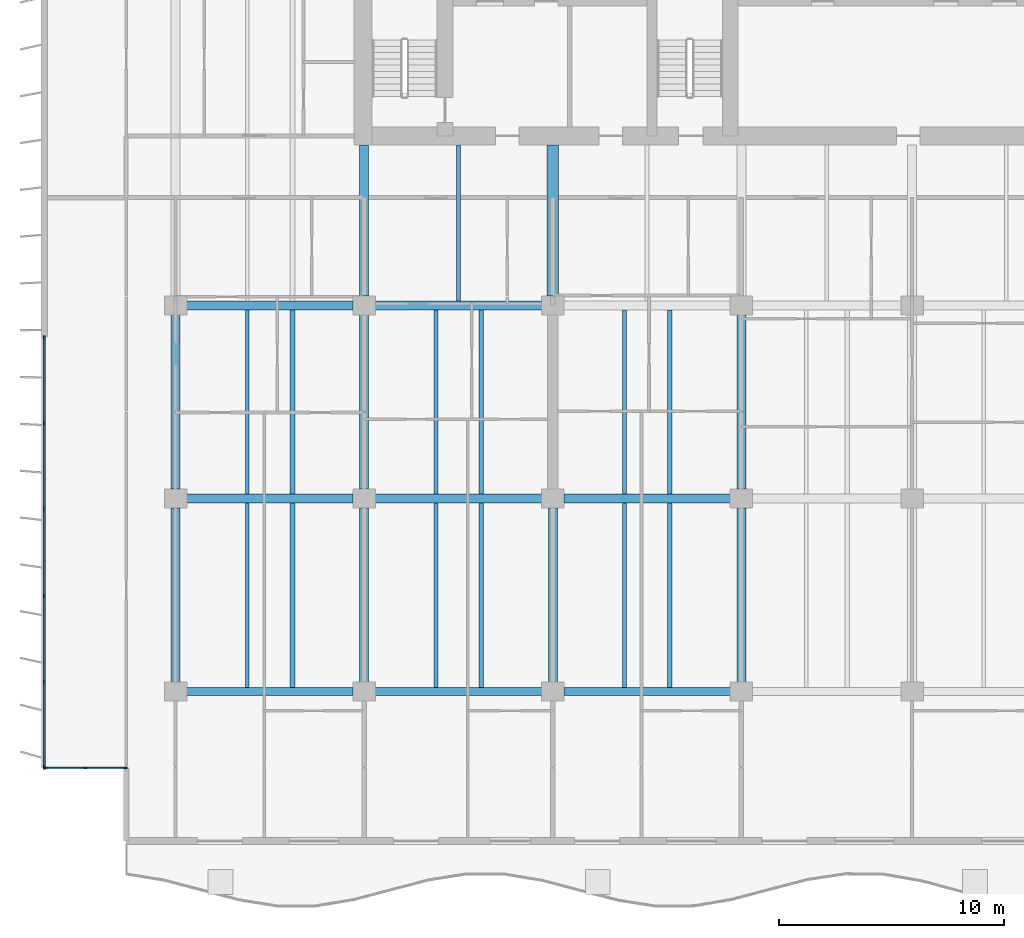
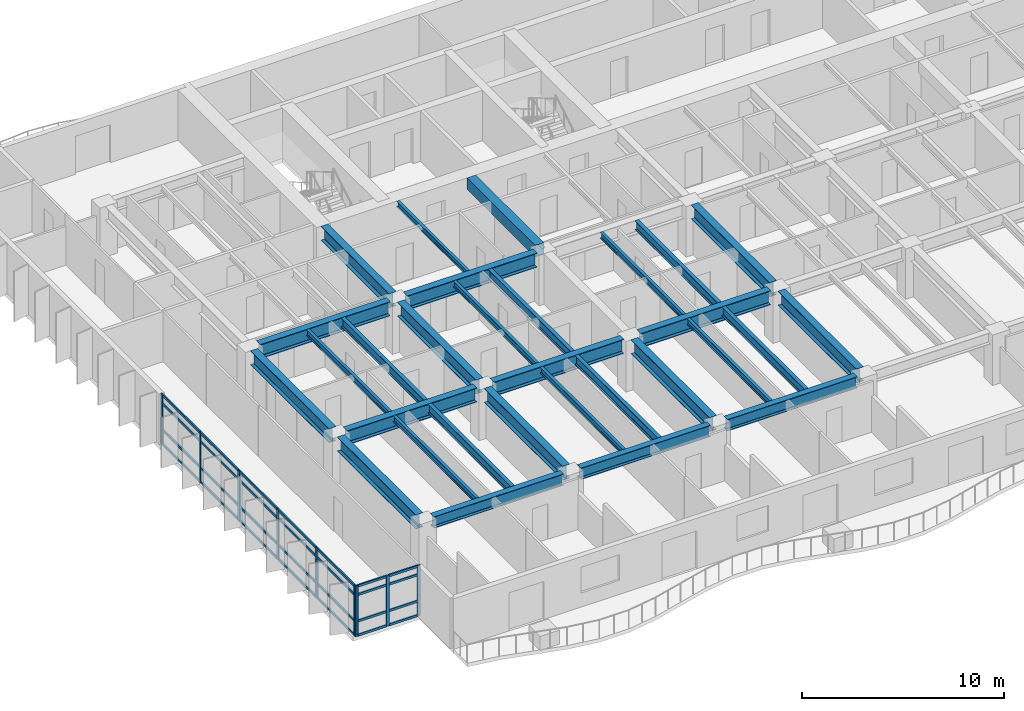
# One storey, part 2 of 16: 37 members, 30 beams, 2 elements without a shape of their own.
"""IFC4 building model written with IfcOpenShell, lengths in metres."""

import ifcopenshell
import ifcopenshell.guid

model = None  # the IFC model being written
_history = None  # IfcOwnerHistory: only IFC2X3 demands one
_inside = {}  # id of a spatial element -> (the spatial element, [elements in it])
_under = {}  # id of a project, library or spatial element -> (it, [spatial elements below it])
_declared = {}  # id of a project -> (the project, [libraries it declares])
_typed = {}  # id of a type object -> (the type object, [elements of that type])
_made_of = {}  # id of a material, layer set ... -> (it, [elements and type objects made of it])


def new_model(schema):
    """Start an empty IFC model of exactly this schema.

    Asked for "IFC4X3", IfcOpenShell would pick the latest addendum, in which some entities
    have other attributes; the version numbers below select the first issue.
    IFC2X3 requires an IfcOwnerHistory on every rooted entity: one is made here for all.
    """
    global model, _history
    if schema == "IFC4X3":
        model = ifcopenshell.file(schema_version=(4, 3, 0, 0))
    else:
        model = ifcopenshell.file(schema=schema)
    _inside.clear()
    _under.clear()
    _declared.clear()
    _typed.clear()
    _made_of.clear()
    _history = None
    if model.schema == "IFC2X3":
        org = make("IfcOrganization", Name="unknown")
        user = make(
            "IfcPersonAndOrganization",
            ThePerson=make("IfcPerson", FamilyName="unknown"),
            TheOrganization=org,
        )
        app = make(
            "IfcApplication",
            ApplicationDeveloper=org,
            Version="unknown",
            ApplicationFullName="unknown",
            ApplicationIdentifier="unknown",
        )
        _history = make(
            "IfcOwnerHistory",
            OwningUser=user,
            OwningApplication=app,
            ChangeAction="ADDED",
            CreationDate=0,
        )
    return model


def make(cls, **values):
    """One entity of the class cls with the attributes given. An attribute that is None is left unset."""
    return model.create_entity(
        cls, **{name: value for name, value in values.items() if value is not None}
    )


def rooted(cls, **values):
    """An entity with a GlobalId (a new one), such as an element, a storey or a relation."""
    return make(cls, GlobalId=ifcopenshell.guid.new(), OwnerHistory=_history, **values)


def si_unit(unit_type, name, prefix=None):
    """IfcSIUnit, for example si_unit("LENGTHUNIT", "METRE", prefix="MILLI")."""
    return make("IfcSIUnit", UnitType=unit_type, Prefix=prefix, Name=name)


def assignment(units):
    """IfcUnitAssignment: the units of a project."""
    return None if units is None else make("IfcUnitAssignment", Units=units)


def point(xyz):
    """IfcCartesianPoint."""
    return None if xyz is None else make("IfcCartesianPoint", Coordinates=xyz)


def direction(xyz):
    """IfcDirection."""
    return None if xyz is None else make("IfcDirection", DirectionRatios=xyz)


def frame(location, z_axis=None, x_axis=None):
    """IfcAxis2Placement3D, a coordinate frame: its origin and axes. An axis left out is left unset."""
    return make(
        "IfcAxis2Placement3D",
        Location=point(location),
        Axis=direction(z_axis),
        RefDirection=direction(x_axis),
    )


def frame_2d(location, x_axis=None):
    """IfcAxis2Placement2D, a coordinate frame in the plane: its origin and x axis."""
    return make(
        "IfcAxis2Placement2D", Location=point(location), RefDirection=direction(x_axis)
    )


def origin():
    """The frame at (0, 0, 0) with its axes left unset."""
    return frame((0.0, 0.0, 0.0))


def origin_2d():
    """The frame at (0, 0) in the plane with its x axis left unset."""
    return frame_2d((0.0, 0.0))


def place(relative_to, where):
    """IfcLocalPlacement: puts the frame where relative to a parent placement (None: the world)."""
    return make(
        "IfcLocalPlacement", PlacementRelTo=relative_to, RelativePlacement=where
    )


def context(
    kind, dimensions, precision=None, world=None, true_north=None, identifier=None
):
    """IfcGeometricRepresentationContext, for example the 3D "Model" context."""
    return make(
        "IfcGeometricRepresentationContext",
        ContextIdentifier=identifier,
        ContextType=kind,
        CoordinateSpaceDimension=dimensions,
        Precision=precision,
        WorldCoordinateSystem=world,
        TrueNorth=true_north,
    )


def subcontext(parent, identifier, kind, view, scale=None):
    """IfcGeometricRepresentationSubContext, for example "Body" below "Model"."""
    return make(
        "IfcGeometricRepresentationSubContext",
        ContextIdentifier=identifier,
        ContextType=kind,
        ParentContext=parent,
        TargetScale=scale,
        TargetView=view,
    )


def project(units=None, contexts=None):
    """IfcProject with its units and contexts."""
    return rooted(
        "IfcProject",
        Name="project",
        RepresentationContexts=contexts,
        UnitsInContext=assignment(units),
    )


def spatial(cls, under=None, at=None, **own):
    """A site, building, storey or space (cls), placed at a placement, below another one or the project."""
    s = rooted(cls, ObjectPlacement=at, **own)
    if under is not None:
        _under.setdefault(under.id(), (under, []))[1].append(s)
    return s


def profile(cls, at=None, kind="AREA", **sizes):
    """A parametric profile (cls). Its sizes go by their IFC names, for example OverallWidth=200.0."""
    return make(cls, ProfileType=kind, Position=at, **sizes)


def rectangle(**sizes):
    """IfcRectangleProfileDef."""
    return profile("IfcRectangleProfileDef", **sizes)


def i_section(**sizes):
    """IfcIShapeProfileDef."""
    return profile("IfcIShapeProfileDef", **sizes)


def extrude(swept, where, along, depth):
    """IfcExtrudedAreaSolid: the profile swept, set in the frame where, extruded along a direction by depth."""
    return make(
        "IfcExtrudedAreaSolid",
        SweptArea=swept,
        Position=where,
        ExtrudedDirection=direction(along),
        Depth=depth,
    )


def shape(context_of_items, identifier, shape_type, items):
    """IfcShapeRepresentation: the items that make up one representation, for example the "Body"."""
    return make(
        "IfcShapeRepresentation",
        ContextOfItems=context_of_items,
        RepresentationIdentifier=identifier,
        RepresentationType=shape_type,
        Items=items,
    )


def material(Name=None, Category=None):
    """IfcMaterial."""
    return make("IfcMaterial", Name=Name, Category=Category)


def layer(
    of_material, thickness, ventilated=None, Name=None, Category=None, Priority=None
):
    """IfcMaterialLayer: one layer of a wall or slab, of a material (None: an air gap)."""
    return make(
        "IfcMaterialLayer",
        Material=of_material,
        LayerThickness=thickness,
        IsVentilated=ventilated,
        Name=Name,
        Category=Category,
        Priority=Priority,
    )


def layer_set(layers, Name=None):
    """IfcMaterialLayerSet."""
    return make("IfcMaterialLayerSet", MaterialLayers=layers, LayerSetName=Name)


def material_profile(
    of_material, cross_section, Name=None, Category=None, Priority=None
):
    """IfcMaterialProfile: a cross section and its material."""
    return make(
        "IfcMaterialProfile",
        Name=Name,
        Material=of_material,
        Profile=cross_section,
        Priority=Priority,
        Category=Category,
    )


def profile_set(profiles, Name=None, composite=None):
    """IfcMaterialProfileSet."""
    return make(
        "IfcMaterialProfileSet",
        Name=Name,
        MaterialProfiles=profiles,
        CompositeProfile=composite,
    )


def made_of(thing, what):
    """Note that an element or type object is made of a material, layer set ...; save() writes the relation."""
    if what is not None:
        _made_of.setdefault(what.id(), (what, []))[1].append(thing)
    return thing


def type_object(cls, material=None, **own):
    """A type object (cls), such as IfcWallType, which elements share."""
    return made_of(rooted(cls, **own), material)


def element(
    cls,
    number,
    at=None,
    inside=None,
    cuts=None,
    type_object=None,
    material=None,
    context=None,
    identifier="Body",
    shape_type=None,
    held_by="IfcProductDefinitionShape",
    body=None,
    shapes=None,
    **own,
):
    """One element of the class cls, such as IfcWall. Its Tag is "e" and its number.

    at: its placement. inside: the storey or other place that contains it. cuts: it is an
    opening in that element (IfcRelVoidsElement). A single representation is given by context,
    identifier, shape_type and body (its items); several are given by shapes. held_by: the class
    of the entity that holds the representations. save() writes the other relations.
    """
    e = rooted(cls, Tag="e%d" % number, ObjectPlacement=at, **own)
    if body is not None:
        shapes = [shape(context, identifier, shape_type, body)]
    if shapes is not None:
        e.Representation = make(held_by, Representations=shapes)
    if inside is not None:
        _inside.setdefault(inside.id(), (inside, []))[1].append(e)
    if cuts is not None:
        rooted(
            "IfcRelVoidsElement", RelatingBuildingElement=cuts, RelatedOpeningElement=e
        )
    if type_object is not None:
        _typed.setdefault(type_object.id(), (type_object, []))[1].append(e)
    return made_of(e, material)


def aggregate(whole, parts):
    """IfcRelAggregates: a whole, such as a stair, and the parts it consists of."""
    return rooted("IfcRelAggregates", RelatingObject=whole, RelatedObjects=parts)


def save(model, path):
    """Write the relations noted so far, then the file.

    IfcRelAggregates (storeys below a building ...), IfcRelContainedInSpatialStructure (elements
    in a storey), IfcRelDefinesByType, IfcRelAssociatesMaterial and IfcRelDeclares: one each for
    every whole, place, type object, material and project.
    """
    for whole, parts in _under.values():
        aggregate(whole, parts)
    for where, things in _inside.values():
        rooted(
            "IfcRelContainedInSpatialStructure",
            RelatedElements=things,
            RelatingStructure=where,
        )
    for kind, things in _typed.values():
        rooted("IfcRelDefinesByType", RelatedObjects=things, RelatingType=kind)
    for what, things in _made_of.values():
        rooted("IfcRelAssociatesMaterial", RelatedObjects=things, RelatingMaterial=what)
    for by, libraries in _declared.values():
        rooted("IfcRelDeclares", RelatingContext=by, RelatedDefinitions=libraries)
    model.write(path)


model = new_model("IFC4")

# Units and contexts
model_context = context("Model", 3, precision=1e-05, world=origin(), true_north=direction((0.0, 1.0)))
body_context = subcontext(model_context, "Body", "Model", "MODEL_VIEW")
ifc_project = project(units=[si_unit("LENGTHUNIT", "METRE"), si_unit("AREAUNIT", "SQUARE_METRE"), si_unit("VOLUMEUNIT", "CUBIC_METRE"), si_unit("PLANEANGLEUNIT", "RADIAN"), si_unit("MASSUNIT", "GRAM", prefix="KILO")], contexts=[model_context])

# Site, building, storey
site_placement = place(None, origin())
site = spatial("IfcSite", under=ifc_project, at=site_placement, CompositionType="ELEMENT")
building_placement = place(site_placement, origin())
building = spatial("IfcBuilding", under=site, at=building_placement, Name="Caelmar Bay Residences", CompositionType="ELEMENT")
storey_placement = place(building_placement, frame((0.0, 0.0, 142.199951171875)))
storey = spatial("IfcBuildingStorey", under=building, at=storey_placement, Name="L39", CompositionType="ELEMENT", Elevation=142.199951171875)

# Beams
ifc_material_1 = material(Name="Steel ASTM A992 Grade 50", Category="steel")
ifc_material_profile_1 = material_profile(ifc_material_1, i_section(OverallWidth=0.40087890625, OverallDepth=0.861083984375, WebThickness=0.019775390625, FlangeThickness=0.032470703125, FilletRadius=0.017822265625, at=origin_2d()), Name="W33X221")
ifc_profile_set_1 = profile_set([ifc_material_profile_1], Name="Steel ASTM A992 Grade 50")
beam_type_1 = type_object("IfcBeamType", Name="BM-GRD-W33X221", PredefinedType="BEAM", material=ifc_profile_set_1)
beam_1_placement = place(storey_placement, frame((10.389892578125, 20.800048828125, 2.61962890625), z_axis=(1.0, 0.0, 0.0), x_axis=(0.0, 1.0, 0.0)))
element("IfcBeam", 1, at=beam_1_placement, inside=storey, type_object=beam_type_1, Name="L39 East-West Girder Y=20.80 (9.9-18.3)", PredefinedType="BEAM", context=body_context, shape_type="SweptSolid", body=[
    extrude(i_section(OverallWidth=0.40087890625, OverallDepth=0.861083984375, WebThickness=0.019775390625, FlangeThickness=0.032470703125, FilletRadius=0.017822265625, at=origin_2d()), origin(), (0.0, 0.0, 1.0), 7.420166015625),
])
beam_2_placement = place(storey_placement, frame((18.7900390625, 20.800048828125, 2.61962890625), z_axis=(1.0, 0.0, 0.0), x_axis=(0.0, 1.0, 0.0)))
element("IfcBeam", 2, at=beam_2_placement, inside=storey, type_object=beam_type_1, Name="L39 East-West Girder Y=20.80 (18.3-26.7)", PredefinedType="BEAM", context=body_context, shape_type="SweptSolid", body=[
    extrude(i_section(OverallWidth=0.40087890625, OverallDepth=0.861083984375, WebThickness=0.019775390625, FlangeThickness=0.032470703125, FilletRadius=0.017822265625, at=origin_2d()), origin(), (0.0, 0.0, 1.0), 7.419921875),
])
for number, where, z_axis, x_axis, name in (
    (3, (27.18994140625, 20.800048828125, 2.61962890625), (1.0, 0.0, 0.0), (0.0, 1.0, 0.0), "L39 East-West Girder Y=20.80 (26.7-35.1)"),
    (4, (10.389892578125, 29.39990234375, 2.61962890625), (1.0, 0.0, 0.0), (0.0, 1.0, 0.0), "L39 East-West Girder Y=29.40 (9.9-18.3)"),
):
    element("IfcBeam", number, at=place(storey_placement, frame(where, z_axis=z_axis, x_axis=x_axis)), inside=storey, type_object=beam_type_1, Name=name, PredefinedType="BEAM", context=body_context, shape_type="SweptSolid", body=[
        extrude(i_section(OverallWidth=0.40087890625, OverallDepth=0.861083984375, WebThickness=0.019775390625, FlangeThickness=0.032470703125, FilletRadius=0.017822265625, at=origin_2d()), origin(), (0.0, 0.0, 1.0), 7.420166015625),
    ])
beam_3_placement = place(storey_placement, frame((18.7900390625, 29.39990234375, 2.61962890625), z_axis=(1.0, 0.0, 0.0), x_axis=(0.0, 1.0, 0.0)))
element("IfcBeam", 5, at=beam_3_placement, inside=storey, type_object=beam_type_1, Name="L39 East-West Girder Y=29.40 (18.3-26.7)", PredefinedType="BEAM", context=body_context, shape_type="SweptSolid", body=[
    extrude(i_section(OverallWidth=0.40087890625, OverallDepth=0.861083984375, WebThickness=0.019775390625, FlangeThickness=0.032470703125, FilletRadius=0.017822265625, at=origin_2d()), origin(), (0.0, 0.0, 1.0), 7.419921875),
])
for number, where, z_axis, x_axis, name in (
    (6, (9.89990234375, 12.614990234375, 2.61962890625), (0.0, 1.0, 0.0), (-1.0, 0.0, 0.0), "L39 North-South Girder X=9.90 (12.2-20.8)"),
    (7, (9.89990234375, 21.215087890625, 2.61962890625), (0.0, 1.0, 0.0), (-1.0, 0.0, 0.0), "L39 North-South Girder X=9.90 (20.8-29.4)"),
):
    element("IfcBeam", number, at=place(storey_placement, frame(where, z_axis=z_axis, x_axis=x_axis)), inside=storey, type_object=beam_type_1, Name=name, PredefinedType="BEAM", context=body_context, shape_type="SweptSolid", body=[
        extrude(i_section(OverallWidth=0.40087890625, OverallDepth=0.861083984375, WebThickness=0.019775390625, FlangeThickness=0.032470703125, FilletRadius=0.017822265625, at=origin_2d()), origin(), (0.0, 0.0, 1.0), 7.77001953125),
    ])
beam_4_placement = place(storey_placement, frame((18.300048828125, 29.81494140625, 2.61962890625), z_axis=(0.0, 1.0, 0.0), x_axis=(-1.0, 0.0, 0.0)))
element("IfcBeam", 8, at=beam_4_placement, inside=storey, type_object=beam_type_1, Name="L39 Core Tie Girder X=18.30", PredefinedType="BEAM", context=body_context, shape_type="SweptSolid", body=[
    extrude(i_section(OverallWidth=0.40087890625, OverallDepth=0.861083984375, WebThickness=0.019775390625, FlangeThickness=0.032470703125, FilletRadius=0.017822265625, at=origin_2d()), origin(), (0.0, 0.0, 1.0), 6.735107421875),
])
for number, where, z_axis, x_axis, name in (
    (9, (18.300048828125, 12.614990234375, 2.61962890625), (0.0, 1.0, 0.0), (-1.0, 0.0, 0.0), "L39 North-South Girder X=18.30 (12.2-20.8)"),
    (10, (18.300048828125, 21.215087890625, 2.61962890625), (0.0, 1.0, 0.0), (-1.0, 0.0, 0.0), "L39 North-South Girder X=18.30 (20.8-29.4)"),
    (11, (26.699951171875, 12.614990234375, 2.61962890625), (0.0, 1.0, 0.0), (-1.0, 0.0, 0.0), "L39 North-South Girder X=26.70 (12.2-20.8)"),
    (12, (35.10009765625, 12.614990234375, 2.61962890625), (0.0, 1.0, 0.0), (-1.0, 0.0, 0.0), "L39 North-South Girder X=35.10 (12.2-20.8)"),
    (13, (35.10009765625, 21.215087890625, 2.61962890625), (0.0, 1.0, 0.0), (-1.0, 0.0, 0.0), "L39 North-South Girder X=35.10 (20.8-29.4)"),
):
    element("IfcBeam", number, at=place(storey_placement, frame(where, z_axis=z_axis, x_axis=x_axis)), inside=storey, type_object=beam_type_1, Name=name, PredefinedType="BEAM", context=body_context, shape_type="SweptSolid", body=[
        extrude(i_section(OverallWidth=0.40087890625, OverallDepth=0.861083984375, WebThickness=0.019775390625, FlangeThickness=0.032470703125, FilletRadius=0.017822265625, at=origin_2d()), origin(), (0.0, 0.0, 1.0), 7.77001953125),
    ])
ifc_material_profile_2 = material_profile(ifc_material_1, i_section(OverallWidth=0.1650390625, OverallDepth=0.31005859375, WebThickness=0.005859375, FlangeThickness=0.009765625, FilletRadius=0.007568359375, at=origin_2d()), Name="W12X26")
ifc_profile_set_2 = profile_set([ifc_material_profile_2], Name="Steel ASTM A992 Grade 50")
beam_type_2 = type_object("IfcBeamType", Name="BM-JST-W12X26", PredefinedType="JOIST", material=ifc_profile_set_2)
beam_5_placement = place(storey_placement, frame((22.5, 29.6005859375, 2.89501953125), z_axis=(0.0, 1.0, 0.0), x_axis=(-1.0, 0.0, 0.0)))
element("IfcBeam", 14, at=beam_5_placement, inside=storey, type_object=beam_type_2, Name="L39 Core-Band Composite Joist 29", PredefinedType="JOIST", context=body_context, shape_type="SweptSolid", body=[
    extrude(i_section(OverallWidth=0.1650390625, OverallDepth=0.31005859375, WebThickness=0.005859375, FlangeThickness=0.009765625, FilletRadius=0.007568359375, at=origin_2d()), origin(), (0.0, 0.0, 1.0), 6.949462890625),
])
ifc_material_profile_3 = material_profile(ifc_material_1, i_section(OverallWidth=0.1708984375, OverallDepth=0.35595703125, WebThickness=0.007080078125, FlangeThickness=0.01171875, FilletRadius=0.007568359375, at=origin_2d()), Name="W14X34")
ifc_profile_set_3 = profile_set([ifc_material_profile_3], Name="Steel ASTM A992 Grade 50")
beam_type_3 = type_object("IfcBeamType", Name="BM-JST-W14X34", PredefinedType="JOIST", material=ifc_profile_set_3)
for number, where, z_axis, x_axis, name in (
    (15, (13.092041015625, 12.3779296875, 2.8720703125), (0.0, 1.0, 0.0), (-1.0, 0.0, 0.0), "L39 Composite Floor Joist 1"),
    (16, (21.491943359375, 12.3779296875, 2.8720703125), (0.0, 1.0, 0.0), (-1.0, 0.0, 0.0), "L39 Composite Floor Joist 3"),
    (17, (29.89208984375, 12.3779296875, 2.8720703125), (0.0, 1.0, 0.0), (-1.0, 0.0, 0.0), "L39 Composite Floor Joist 5"),
):
    element("IfcBeam", number, at=place(storey_placement, frame(where, z_axis=z_axis, x_axis=x_axis)), inside=storey, type_object=beam_type_3, Name=name, PredefinedType="JOIST", context=body_context, shape_type="SweptSolid", body=[
        extrude(i_section(OverallWidth=0.1708984375, OverallDepth=0.35595703125, WebThickness=0.007080078125, FlangeThickness=0.01171875, FilletRadius=0.007568359375, at=origin_2d()), origin(), (0.0, 0.0, 1.0), 8.2216796875),
    ])
for number, where, z_axis, x_axis, name in (
    (18, (13.092041015625, 21.00048828125, 2.8720703125), (0.0, 1.0, 0.0), (-1.0, 0.0, 0.0), "L39 Composite Floor Joist 15"),
    (19, (21.491943359375, 21.00048828125, 2.8720703125), (0.0, 1.0, 0.0), (-1.0, 0.0, 0.0), "L39 Composite Floor Joist 17"),
    (20, (29.89208984375, 21.00048828125, 2.8720703125), (0.0, 1.0, 0.0), (-1.0, 0.0, 0.0), "L39 Composite Floor Joist 19"),
):
    element("IfcBeam", number, at=place(storey_placement, frame(where, z_axis=z_axis, x_axis=x_axis)), inside=storey, type_object=beam_type_3, Name=name, PredefinedType="JOIST", context=body_context, shape_type="SweptSolid", body=[
        extrude(i_section(OverallWidth=0.1708984375, OverallDepth=0.35595703125, WebThickness=0.007080078125, FlangeThickness=0.01171875, FilletRadius=0.007568359375, at=origin_2d()), origin(), (0.0, 0.0, 1.0), 8.198974609375),
    ])
ifc_material_profile_4 = material_profile(ifc_material_1, i_section(OverallWidth=0.2099609375, OverallDepth=0.535888671875, WebThickness=0.010986328125, FlangeThickness=0.017333984375, FilletRadius=0.0126953125, at=origin_2d()), Name="W21X68")
ifc_profile_set_4 = profile_set([ifc_material_profile_4], Name="Steel ASTM A992 Grade 50")
beam_type_4 = type_object("IfcBeamType", Name="BM-JST-W21X68", PredefinedType="JOIST", material=ifc_profile_set_4)
for number, where, z_axis, x_axis, name in (
    (21, (15.10791015625, 12.3779296875, 2.781982421875), (0.0, 1.0, 0.0), (-1.0, 0.0, 0.0), "L39 Composite Floor Joist 2"),
    (22, (23.508056640625, 12.3779296875, 2.781982421875), (0.0, 1.0, 0.0), (-1.0, 0.0, 0.0), "L39 Composite Floor Joist 4"),
    (23, (31.907958984375, 12.3779296875, 2.781982421875), (0.0, 1.0, 0.0), (-1.0, 0.0, 0.0), "L39 Composite Floor Joist 6"),
):
    element("IfcBeam", number, at=place(storey_placement, frame(where, z_axis=z_axis, x_axis=x_axis)), inside=storey, type_object=beam_type_4, Name=name, PredefinedType="JOIST", context=body_context, shape_type="SweptSolid", body=[
        extrude(i_section(OverallWidth=0.2099609375, OverallDepth=0.535888671875, WebThickness=0.010986328125, FlangeThickness=0.017333984375, FilletRadius=0.0126953125, at=origin_2d()), origin(), (0.0, 0.0, 1.0), 8.2216796875),
    ])
for number, where, z_axis, x_axis, name in (
    (24, (15.10791015625, 21.00048828125, 2.781982421875), (0.0, 1.0, 0.0), (-1.0, 0.0, 0.0), "L39 Composite Floor Joist 16"),
    (25, (23.508056640625, 21.00048828125, 2.781982421875), (0.0, 1.0, 0.0), (-1.0, 0.0, 0.0), "L39 Composite Floor Joist 18"),
    (26, (31.907958984375, 21.00048828125, 2.781982421875), (0.0, 1.0, 0.0), (-1.0, 0.0, 0.0), "L39 Composite Floor Joist 20"),
):
    element("IfcBeam", number, at=place(storey_placement, frame(where, z_axis=z_axis, x_axis=x_axis)), inside=storey, type_object=beam_type_4, Name=name, PredefinedType="JOIST", context=body_context, shape_type="SweptSolid", body=[
        extrude(i_section(OverallWidth=0.2099609375, OverallDepth=0.535888671875, WebThickness=0.010986328125, FlangeThickness=0.017333984375, FilletRadius=0.0126953125, at=origin_2d()), origin(), (0.0, 0.0, 1.0), 8.198974609375),
    ])
ifc_material_2 = material(Name="Concrete f'c 55 MPa (8,000 psi)", Category="concrete")
ifc_material_profile_5 = material_profile(ifc_material_2, rectangle(XDim=0.5, YDim=0.699951171875, at=origin_2d()), Name="RC-BM-500X700")
ifc_profile_set_5 = profile_set([ifc_material_profile_5], Name="Concrete f'c 55 MPa (8,000 psi)")
beam_type_5 = type_object("IfcBeamType", Name="BM-RC-500X700", PredefinedType="LINTEL", material=ifc_profile_set_5)
beam_6_placement = place(storey_placement, frame((26.699951171875, 29.81494140625, 2.699951171875), z_axis=(0.0, 1.0, 0.0), x_axis=(-1.0, 0.0, 0.0)))
element("IfcBeam", 27, at=beam_6_placement, inside=storey, type_object=beam_type_5, Name="L39 Shear-Wall Corridor Coupling Lintel W5", PredefinedType="LINTEL", context=body_context, shape_type="SweptSolid", body=[
    extrude(rectangle(XDim=0.5, YDim=0.699951171875, at=origin_2d()), origin(), (0.0, 0.0, 1.0), 6.735107421875),
])
ifc_material_profile_6 = material_profile(ifc_material_1, i_section(OverallWidth=0.35595703125, OverallDepth=0.696044921875, WebThickness=0.015380859375, FlangeThickness=0.02490234375, FilletRadius=0.01513671875, at=origin_2d()), Name="W27X146")
ifc_profile_set_6 = profile_set([ifc_material_profile_6], Name="Steel ASTM A992 Grade 50")
beam_type_6 = type_object("IfcBeamType", Name="BM-SPN-W27X146", PredefinedType="SPANDREL", material=ifc_profile_set_6)
beam_7_placement = place(storey_placement, frame((10.389892578125, 12.199951171875, 2.7021484375), z_axis=(1.0, 0.0, 0.0), x_axis=(0.0, 1.0, 0.0)))
element("IfcBeam", 28, at=beam_7_placement, inside=storey, type_object=beam_type_6, Name="L39 East-West Girder Y=12.20 (9.9-18.3)", PredefinedType="SPANDREL", context=body_context, shape_type="SweptSolid", body=[
    extrude(i_section(OverallWidth=0.35595703125, OverallDepth=0.696044921875, WebThickness=0.015380859375, FlangeThickness=0.02490234375, FilletRadius=0.01513671875, at=origin_2d()), origin(), (0.0, 0.0, 1.0), 7.420166015625),
])
beam_8_placement = place(storey_placement, frame((18.7900390625, 12.199951171875, 2.7021484375), z_axis=(1.0, 0.0, 0.0), x_axis=(0.0, 1.0, 0.0)))
element("IfcBeam", 29, at=beam_8_placement, inside=storey, type_object=beam_type_6, Name="L39 East-West Girder Y=12.20 (18.3-26.7)", PredefinedType="SPANDREL", context=body_context, shape_type="SweptSolid", body=[
    extrude(i_section(OverallWidth=0.35595703125, OverallDepth=0.696044921875, WebThickness=0.015380859375, FlangeThickness=0.02490234375, FilletRadius=0.01513671875, at=origin_2d()), origin(), (0.0, 0.0, 1.0), 7.419921875),
])
beam_9_placement = place(storey_placement, frame((27.18994140625, 12.199951171875, 2.7021484375), z_axis=(1.0, 0.0, 0.0), x_axis=(0.0, 1.0, 0.0)))
element("IfcBeam", 30, at=beam_9_placement, inside=storey, type_object=beam_type_6, Name="L39 East-West Girder Y=12.20 (26.7-35.1)", PredefinedType="SPANDREL", context=body_context, shape_type="SweptSolid", body=[
    extrude(i_section(OverallWidth=0.35595703125, OverallDepth=0.696044921875, WebThickness=0.015380859375, FlangeThickness=0.02490234375, FilletRadius=0.01513671875, at=origin_2d()), origin(), (0.0, 0.0, 1.0), 7.420166015625),
])

# Curtain wall, members
ifc_material_3 = material(Name="Anodised bronze aluminium 6063-T6 and laminated glass", Category="aluminium")
ifc_layer_1 = layer(ifc_material_3, 0.179931640625)
ifc_layer_set_1 = layer_set([ifc_layer_1], Name="Anodised bronze aluminium 6063-T6 and laminated glass")
curtain_wall_type_1 = type_object("IfcCurtainWallType", Name="CW6-NTC", PredefinedType="NOTDEFINED", material=ifc_layer_set_1)
curtain_wall_1_placement = place(storey_placement, origin())
curtain_wall_1 = element("IfcCurtainWall", 31, at=curtain_wall_1_placement, inside=storey, type_object=curtain_wall_type_1, Name="CW6 curtain wall L39", PredefinedType="NOTDEFINED")
ifc_material_4 = material(Name="Anodised bronze aluminium 6063-T6", Category="aluminium")
ifc_material_profile_7 = material_profile(ifc_material_4, rectangle(XDim=0.080078125, YDim=0.179931640625, at=origin_2d()), Name="CWM-80X180")
ifc_profile_set_7 = profile_set([ifc_material_profile_7], Name="Anodised bronze aluminium 6063-T6")
member_type_1 = type_object("IfcMemberType", Name="CWM-180", PredefinedType="MULLION", material=ifc_profile_set_7)
member_1_placement = place(storey_placement, frame((4.090087890625, 8.800048828125, 0.0), z_axis=(0.0, 0.0, 1.0), x_axis=(0.0, 1.0, 0.0)))
member_1 = element("IfcMember", 32, at=member_1_placement, type_object=member_type_1, Name="CW6 mullion 1", PredefinedType="MULLION", context=body_context, shape_type="SweptSolid", body=[
    extrude(rectangle(XDim=0.080078125, YDim=0.179931640625, at=origin_2d()), origin(), (0.0, 0.0, 1.0), 3.050048828125),
])
member_2_placement = place(storey_placement, frame((5.875, 8.800048828125, 0.0), z_axis=(0.0, 0.0, 1.0), x_axis=(0.0, 1.0, 0.0)))
member_2 = element("IfcMember", 33, at=member_2_placement, type_object=member_type_1, Name="CW6 mullion 2", PredefinedType="MULLION", context=body_context, shape_type="SweptSolid", body=[
    extrude(rectangle(XDim=0.080078125, YDim=0.179931640625, at=origin_2d()), origin(), (0.0, 0.0, 1.0), 3.050048828125),
])
member_3_placement = place(storey_placement, frame((7.659912109375, 8.800048828125, 0.0), z_axis=(0.0, 0.0, 1.0), x_axis=(0.0, 1.0, 0.0)))
member_3 = element("IfcMember", 34, at=member_3_placement, type_object=member_type_1, Name="CW6 mullion 3", PredefinedType="MULLION", context=body_context, shape_type="SweptSolid", body=[
    extrude(rectangle(XDim=0.080078125, YDim=0.179931640625, at=origin_2d()), origin(), (0.0, 0.0, 1.0), 3.050048828125),
])

ifc_layer_2 = layer(ifc_material_3, 0.179931640625)
ifc_layer_set_2 = layer_set([ifc_layer_2], Name="Anodised bronze aluminium 6063-T6 and laminated glass")
curtain_wall_type_2 = type_object("IfcCurtainWallType", Name="CW3-Z2", PredefinedType="NOTDEFINED", material=ifc_layer_set_2)
curtain_wall_2_placement = place(storey_placement, origin())
curtain_wall_2 = element("IfcCurtainWall", 35, at=curtain_wall_2_placement, inside=storey, type_object=curtain_wall_type_2, Name="CW3 curtain wall L39", PredefinedType="NOTDEFINED")
member_4_placement = place(storey_placement, frame((4.050048828125, 8.840087890625, 0.0), z_axis=(0.0, 0.0, 1.0), x_axis=(-1.0, 0.0, 0.0)))
member_4 = element("IfcMember", 36, at=member_4_placement, type_object=member_type_1, Name="CW3 mullion 1", PredefinedType="MULLION", context=body_context, shape_type="SweptSolid", body=[
    extrude(rectangle(XDim=0.080078125, YDim=0.179931640625, at=origin_2d()), origin(), (0.0, 0.0, 1.0), 3.050048828125),
])
member_5_placement = place(storey_placement, frame((4.050048828125, 12.639892578125, 0.0), z_axis=(0.0, 0.0, 1.0), x_axis=(-1.0, 0.0, 0.0)))
member_5 = element("IfcMember", 37, at=member_5_placement, type_object=member_type_1, Name="CW3 mullion 2", PredefinedType="MULLION", context=body_context, shape_type="SweptSolid", body=[
    extrude(rectangle(XDim=0.080078125, YDim=0.179931640625, at=origin_2d()), origin(), (0.0, 0.0, 1.0), 3.050048828125),
])
member_6_placement = place(storey_placement, frame((4.050048828125, 16.47998046875, 0.0), z_axis=(0.0, 0.0, 1.0), x_axis=(-1.0, 0.0, 0.0)))
member_6 = element("IfcMember", 38, at=member_6_placement, type_object=member_type_1, Name="CW3 mullion 3", PredefinedType="MULLION", context=body_context, shape_type="SweptSolid", body=[
    extrude(rectangle(XDim=0.080078125, YDim=0.179931640625, at=origin_2d()), origin(), (0.0, 0.0, 1.0), 3.050048828125),
])
member_7_placement = place(storey_placement, frame((4.050048828125, 20.320068359375, 0.0), z_axis=(0.0, 0.0, 1.0), x_axis=(-1.0, 0.0, 0.0)))
member_7 = element("IfcMember", 39, at=member_7_placement, type_object=member_type_1, Name="CW3 mullion 4", PredefinedType="MULLION", context=body_context, shape_type="SweptSolid", body=[
    extrude(rectangle(XDim=0.080078125, YDim=0.179931640625, at=origin_2d()), origin(), (0.0, 0.0, 1.0), 3.050048828125),
])
member_8_placement = place(storey_placement, frame((4.050048828125, 24.159912109375, 0.0), z_axis=(0.0, 0.0, 1.0), x_axis=(-1.0, 0.0, 0.0)))
member_8 = element("IfcMember", 40, at=member_8_placement, type_object=member_type_1, Name="CW3 mullion 5", PredefinedType="MULLION", context=body_context, shape_type="SweptSolid", body=[
    extrude(rectangle(XDim=0.080078125, YDim=0.179931640625, at=origin_2d()), origin(), (0.0, 0.0, 1.0), 3.050048828125),
])
member_9_placement = place(storey_placement, frame((4.050048828125, 27.9599609375, 0.0), z_axis=(0.0, 0.0, 1.0), x_axis=(-1.0, 0.0, 0.0)))
member_9 = element("IfcMember", 41, at=member_9_placement, type_object=member_type_1, Name="CW3 mullion 6", PredefinedType="MULLION", context=body_context, shape_type="SweptSolid", body=[
    extrude(rectangle(XDim=0.080078125, YDim=0.179931640625, at=origin_2d()), origin(), (0.0, 0.0, 1.0), 3.050048828125),
])

# Member
ifc_material_profile_8 = material_profile(ifc_material_4, rectangle(XDim=0.080078125, YDim=0.139892578125, at=origin_2d()), Name="CWT-80X140")
ifc_profile_set_8 = profile_set([ifc_material_profile_8], Name="Anodised bronze aluminium 6063-T6")
member_type_2 = type_object("IfcMemberType", Name="CWT-140", PredefinedType="NOTDEFINED", material=ifc_profile_set_8)
member_10_placement = place(storey_placement, frame((4.1298828125, 8.800048828125, 0.0400390625), z_axis=(1.0, 0.0, 0.0), x_axis=(0.0, 1.0, 0.0)))
member_10 = element("IfcMember", 42, at=member_10_placement, type_object=member_type_2, Name="CW6 transom 1.1", ObjectType="TRANSOM", PredefinedType="USERDEFINED", context=body_context, shape_type="SweptSolid", body=[
    extrude(rectangle(XDim=0.080078125, YDim=0.139892578125, at=origin_2d()), origin(), (0.0, 0.0, 1.0), 1.705078125),
])

member_11_placement = place(storey_placement, frame((4.1298828125, 8.800048828125, 0.900146484375), z_axis=(1.0, 0.0, 0.0), x_axis=(0.0, 1.0, 0.0)))
member_11 = element("IfcMember", 43, at=member_11_placement, type_object=member_type_2, Name="CW6 transom 1.2", ObjectType="TRANSOM", PredefinedType="USERDEFINED", context=body_context, shape_type="SweptSolid", body=[
    extrude(rectangle(XDim=0.080078125, YDim=0.139892578125, at=origin_2d()), origin(), (0.0, 0.0, 1.0), 1.705078125),
])

member_12_placement = place(storey_placement, frame((4.1298828125, 8.800048828125, 2.5), z_axis=(1.0, 0.0, 0.0), x_axis=(0.0, 1.0, 0.0)))
member_12 = element("IfcMember", 44, at=member_12_placement, type_object=member_type_2, Name="CW6 transom 1.3", ObjectType="TRANSOM", PredefinedType="USERDEFINED", context=body_context, shape_type="SweptSolid", body=[
    extrude(rectangle(XDim=0.080078125, YDim=0.139892578125, at=origin_2d()), origin(), (0.0, 0.0, 1.0), 1.705078125),
])

member_13_placement = place(storey_placement, frame((4.1298828125, 8.800048828125, 3.010009765625), z_axis=(1.0, 0.0, 0.0), x_axis=(0.0, 1.0, 0.0)))
member_13 = element("IfcMember", 45, at=member_13_placement, type_object=member_type_2, Name="CW6 transom 1.4", ObjectType="TRANSOM", PredefinedType="USERDEFINED", context=body_context, shape_type="SweptSolid", body=[
    extrude(rectangle(XDim=0.080078125, YDim=0.139892578125, at=origin_2d()), origin(), (0.0, 0.0, 1.0), 1.705078125),
])

member_14_placement = place(storey_placement, frame((5.9150390625, 8.800048828125, 0.0400390625), z_axis=(1.0, 0.0, 0.0), x_axis=(0.0, 1.0, 0.0)))
member_14 = element("IfcMember", 46, at=member_14_placement, type_object=member_type_2, Name="CW6 transom 2.1", ObjectType="TRANSOM", PredefinedType="USERDEFINED", context=body_context, shape_type="SweptSolid", body=[
    extrude(rectangle(XDim=0.080078125, YDim=0.139892578125, at=origin_2d()), origin(), (0.0, 0.0, 1.0), 1.705078125),
])

member_15_placement = place(storey_placement, frame((5.9150390625, 8.800048828125, 0.900146484375), z_axis=(1.0, 0.0, 0.0), x_axis=(0.0, 1.0, 0.0)))
member_15 = element("IfcMember", 47, at=member_15_placement, type_object=member_type_2, Name="CW6 transom 2.2", ObjectType="TRANSOM", PredefinedType="USERDEFINED", context=body_context, shape_type="SweptSolid", body=[
    extrude(rectangle(XDim=0.080078125, YDim=0.139892578125, at=origin_2d()), origin(), (0.0, 0.0, 1.0), 1.705078125),
])

member_16_placement = place(storey_placement, frame((5.9150390625, 8.800048828125, 2.5), z_axis=(1.0, 0.0, 0.0), x_axis=(0.0, 1.0, 0.0)))
member_16 = element("IfcMember", 48, at=member_16_placement, type_object=member_type_2, Name="CW6 transom 2.3", ObjectType="TRANSOM", PredefinedType="USERDEFINED", context=body_context, shape_type="SweptSolid", body=[
    extrude(rectangle(XDim=0.080078125, YDim=0.139892578125, at=origin_2d()), origin(), (0.0, 0.0, 1.0), 1.705078125),
])

member_17_placement = place(storey_placement, frame((5.9150390625, 8.800048828125, 3.010009765625), z_axis=(1.0, 0.0, 0.0), x_axis=(0.0, 1.0, 0.0)))
member_17 = element("IfcMember", 49, at=member_17_placement, type_object=member_type_2, Name="CW6 transom 2.4", ObjectType="TRANSOM", PredefinedType="USERDEFINED", context=body_context, shape_type="SweptSolid", body=[
    extrude(rectangle(XDim=0.080078125, YDim=0.139892578125, at=origin_2d()), origin(), (0.0, 0.0, 1.0), 1.705078125),
])

aggregate(curtain_wall_1, [member_1, member_2, member_3, member_10, member_11, member_12, member_13, member_14, member_15, member_16, member_17])

member_18_placement = place(storey_placement, frame((4.050048828125, 8.8798828125, 0.0400390625), z_axis=(0.0, 1.0, 0.0), x_axis=(-1.0, 0.0, 0.0)))
member_18 = element("IfcMember", 50, at=member_18_placement, type_object=member_type_2, Name="CW3 transom 1.1", ObjectType="TRANSOM", PredefinedType="USERDEFINED", context=body_context, shape_type="SweptSolid", body=[
    extrude(rectangle(XDim=0.080078125, YDim=0.139892578125, at=origin_2d()), origin(), (0.0, 0.0, 1.0), 3.72021484375),
])

member_19_placement = place(storey_placement, frame((4.050048828125, 8.8798828125, 0.900146484375), z_axis=(0.0, 1.0, 0.0), x_axis=(-1.0, 0.0, 0.0)))
member_19 = element("IfcMember", 51, at=member_19_placement, type_object=member_type_2, Name="CW3 transom 1.2", ObjectType="TRANSOM", PredefinedType="USERDEFINED", context=body_context, shape_type="SweptSolid", body=[
    extrude(rectangle(XDim=0.080078125, YDim=0.139892578125, at=origin_2d()), origin(), (0.0, 0.0, 1.0), 3.72021484375),
])

member_20_placement = place(storey_placement, frame((4.050048828125, 8.8798828125, 2.5), z_axis=(0.0, 1.0, 0.0), x_axis=(-1.0, 0.0, 0.0)))
member_20 = element("IfcMember", 52, at=member_20_placement, type_object=member_type_2, Name="CW3 transom 1.3", ObjectType="TRANSOM", PredefinedType="USERDEFINED", context=body_context, shape_type="SweptSolid", body=[
    extrude(rectangle(XDim=0.080078125, YDim=0.139892578125, at=origin_2d()), origin(), (0.0, 0.0, 1.0), 3.72021484375),
])

member_21_placement = place(storey_placement, frame((4.050048828125, 8.8798828125, 3.010009765625), z_axis=(0.0, 1.0, 0.0), x_axis=(-1.0, 0.0, 0.0)))
member_21 = element("IfcMember", 53, at=member_21_placement, type_object=member_type_2, Name="CW3 transom 1.4", ObjectType="TRANSOM", PredefinedType="USERDEFINED", context=body_context, shape_type="SweptSolid", body=[
    extrude(rectangle(XDim=0.080078125, YDim=0.139892578125, at=origin_2d()), origin(), (0.0, 0.0, 1.0), 3.72021484375),
])

member_22_placement = place(storey_placement, frame((4.050048828125, 12.679931640625, 0.0400390625), z_axis=(0.0, 1.0, 0.0), x_axis=(-1.0, 0.0, 0.0)))
member_22 = element("IfcMember", 54, at=member_22_placement, type_object=member_type_2, Name="CW3 transom 2.1", ObjectType="TRANSOM", PredefinedType="USERDEFINED", context=body_context, shape_type="SweptSolid", body=[
    extrude(rectangle(XDim=0.080078125, YDim=0.139892578125, at=origin_2d()), origin(), (0.0, 0.0, 1.0), 3.760009765625),
])

member_23_placement = place(storey_placement, frame((4.050048828125, 12.679931640625, 0.900146484375), z_axis=(0.0, 1.0, 0.0), x_axis=(-1.0, 0.0, 0.0)))
member_23 = element("IfcMember", 55, at=member_23_placement, type_object=member_type_2, Name="CW3 transom 2.2", ObjectType="TRANSOM", PredefinedType="USERDEFINED", context=body_context, shape_type="SweptSolid", body=[
    extrude(rectangle(XDim=0.080078125, YDim=0.139892578125, at=origin_2d()), origin(), (0.0, 0.0, 1.0), 3.760009765625),
])

member_24_placement = place(storey_placement, frame((4.050048828125, 12.679931640625, 2.5), z_axis=(0.0, 1.0, 0.0), x_axis=(-1.0, 0.0, 0.0)))
member_24 = element("IfcMember", 56, at=member_24_placement, type_object=member_type_2, Name="CW3 transom 2.3", ObjectType="TRANSOM", PredefinedType="USERDEFINED", context=body_context, shape_type="SweptSolid", body=[
    extrude(rectangle(XDim=0.080078125, YDim=0.139892578125, at=origin_2d()), origin(), (0.0, 0.0, 1.0), 3.760009765625),
])

member_25_placement = place(storey_placement, frame((4.050048828125, 12.679931640625, 3.010009765625), z_axis=(0.0, 1.0, 0.0), x_axis=(-1.0, 0.0, 0.0)))
member_25 = element("IfcMember", 57, at=member_25_placement, type_object=member_type_2, Name="CW3 transom 2.4", ObjectType="TRANSOM", PredefinedType="USERDEFINED", context=body_context, shape_type="SweptSolid", body=[
    extrude(rectangle(XDim=0.080078125, YDim=0.139892578125, at=origin_2d()), origin(), (0.0, 0.0, 1.0), 3.760009765625),
])

member_26_placement = place(storey_placement, frame((4.050048828125, 16.52001953125, 0.0400390625), z_axis=(0.0, 1.0, 0.0), x_axis=(-1.0, 0.0, 0.0)))
member_26 = element("IfcMember", 58, at=member_26_placement, type_object=member_type_2, Name="CW3 transom 3.1", ObjectType="TRANSOM", PredefinedType="USERDEFINED", context=body_context, shape_type="SweptSolid", body=[
    extrude(rectangle(XDim=0.080078125, YDim=0.139892578125, at=origin_2d()), origin(), (0.0, 0.0, 1.0), 3.760009765625),
])

member_27_placement = place(storey_placement, frame((4.050048828125, 16.52001953125, 0.900146484375), z_axis=(0.0, 1.0, 0.0), x_axis=(-1.0, 0.0, 0.0)))
member_27 = element("IfcMember", 59, at=member_27_placement, type_object=member_type_2, Name="CW3 transom 3.2", ObjectType="TRANSOM", PredefinedType="USERDEFINED", context=body_context, shape_type="SweptSolid", body=[
    extrude(rectangle(XDim=0.080078125, YDim=0.139892578125, at=origin_2d()), origin(), (0.0, 0.0, 1.0), 3.760009765625),
])

member_28_placement = place(storey_placement, frame((4.050048828125, 16.52001953125, 2.5), z_axis=(0.0, 1.0, 0.0), x_axis=(-1.0, 0.0, 0.0)))
member_28 = element("IfcMember", 60, at=member_28_placement, type_object=member_type_2, Name="CW3 transom 3.3", ObjectType="TRANSOM", PredefinedType="USERDEFINED", context=body_context, shape_type="SweptSolid", body=[
    extrude(rectangle(XDim=0.080078125, YDim=0.139892578125, at=origin_2d()), origin(), (0.0, 0.0, 1.0), 3.760009765625),
])

member_29_placement = place(storey_placement, frame((4.050048828125, 16.52001953125, 3.010009765625), z_axis=(0.0, 1.0, 0.0), x_axis=(-1.0, 0.0, 0.0)))
member_29 = element("IfcMember", 61, at=member_29_placement, type_object=member_type_2, Name="CW3 transom 3.4", ObjectType="TRANSOM", PredefinedType="USERDEFINED", context=body_context, shape_type="SweptSolid", body=[
    extrude(rectangle(XDim=0.080078125, YDim=0.139892578125, at=origin_2d()), origin(), (0.0, 0.0, 1.0), 3.760009765625),
])

member_30_placement = place(storey_placement, frame((4.050048828125, 20.360107421875, 0.0400390625), z_axis=(0.0, 1.0, 0.0), x_axis=(-1.0, 0.0, 0.0)))
member_30 = element("IfcMember", 62, at=member_30_placement, type_object=member_type_2, Name="CW3 transom 4.1", ObjectType="TRANSOM", PredefinedType="USERDEFINED", context=body_context, shape_type="SweptSolid", body=[
    extrude(rectangle(XDim=0.080078125, YDim=0.139892578125, at=origin_2d()), origin(), (0.0, 0.0, 1.0), 3.760009765625),
])

member_31_placement = place(storey_placement, frame((4.050048828125, 20.360107421875, 0.900146484375), z_axis=(0.0, 1.0, 0.0), x_axis=(-1.0, 0.0, 0.0)))
member_31 = element("IfcMember", 63, at=member_31_placement, type_object=member_type_2, Name="CW3 transom 4.2", ObjectType="TRANSOM", PredefinedType="USERDEFINED", context=body_context, shape_type="SweptSolid", body=[
    extrude(rectangle(XDim=0.080078125, YDim=0.139892578125, at=origin_2d()), origin(), (0.0, 0.0, 1.0), 3.760009765625),
])

member_32_placement = place(storey_placement, frame((4.050048828125, 20.360107421875, 2.5), z_axis=(0.0, 1.0, 0.0), x_axis=(-1.0, 0.0, 0.0)))
member_32 = element("IfcMember", 64, at=member_32_placement, type_object=member_type_2, Name="CW3 transom 4.3", ObjectType="TRANSOM", PredefinedType="USERDEFINED", context=body_context, shape_type="SweptSolid", body=[
    extrude(rectangle(XDim=0.080078125, YDim=0.139892578125, at=origin_2d()), origin(), (0.0, 0.0, 1.0), 3.760009765625),
])

member_33_placement = place(storey_placement, frame((4.050048828125, 20.360107421875, 3.010009765625), z_axis=(0.0, 1.0, 0.0), x_axis=(-1.0, 0.0, 0.0)))
member_33 = element("IfcMember", 65, at=member_33_placement, type_object=member_type_2, Name="CW3 transom 4.4", ObjectType="TRANSOM", PredefinedType="USERDEFINED", context=body_context, shape_type="SweptSolid", body=[
    extrude(rectangle(XDim=0.080078125, YDim=0.139892578125, at=origin_2d()), origin(), (0.0, 0.0, 1.0), 3.760009765625),
])

member_34_placement = place(storey_placement, frame((4.050048828125, 24.199951171875, 0.0400390625), z_axis=(0.0, 1.0, 0.0), x_axis=(-1.0, 0.0, 0.0)))
member_34 = element("IfcMember", 66, at=member_34_placement, type_object=member_type_2, Name="CW3 transom 5.1", ObjectType="TRANSOM", PredefinedType="USERDEFINED", context=body_context, shape_type="SweptSolid", body=[
    extrude(rectangle(XDim=0.080078125, YDim=0.139892578125, at=origin_2d()), origin(), (0.0, 0.0, 1.0), 3.719970703125),
])

member_35_placement = place(storey_placement, frame((4.050048828125, 24.199951171875, 0.900146484375), z_axis=(0.0, 1.0, 0.0), x_axis=(-1.0, 0.0, 0.0)))
member_35 = element("IfcMember", 67, at=member_35_placement, type_object=member_type_2, Name="CW3 transom 5.2", ObjectType="TRANSOM", PredefinedType="USERDEFINED", context=body_context, shape_type="SweptSolid", body=[
    extrude(rectangle(XDim=0.080078125, YDim=0.139892578125, at=origin_2d()), origin(), (0.0, 0.0, 1.0), 3.719970703125),
])

member_36_placement = place(storey_placement, frame((4.050048828125, 24.199951171875, 2.5), z_axis=(0.0, 1.0, 0.0), x_axis=(-1.0, 0.0, 0.0)))
member_36 = element("IfcMember", 68, at=member_36_placement, type_object=member_type_2, Name="CW3 transom 5.3", ObjectType="TRANSOM", PredefinedType="USERDEFINED", context=body_context, shape_type="SweptSolid", body=[
    extrude(rectangle(XDim=0.080078125, YDim=0.139892578125, at=origin_2d()), origin(), (0.0, 0.0, 1.0), 3.719970703125),
])

member_37_placement = place(storey_placement, frame((4.050048828125, 24.199951171875, 3.010009765625), z_axis=(0.0, 1.0, 0.0), x_axis=(-1.0, 0.0, 0.0)))
member_37 = element("IfcMember", 69, at=member_37_placement, type_object=member_type_2, Name="CW3 transom 5.4", ObjectType="TRANSOM", PredefinedType="USERDEFINED", context=body_context, shape_type="SweptSolid", body=[
    extrude(rectangle(XDim=0.080078125, YDim=0.139892578125, at=origin_2d()), origin(), (0.0, 0.0, 1.0), 3.719970703125),
])

aggregate(curtain_wall_2, [member_4, member_5, member_6, member_7, member_8, member_9, member_18, member_19, member_20, member_21, member_22, member_23, member_24, member_25, member_26, member_27, member_28, member_29, member_30, member_31, member_32, member_33, member_34, member_35, member_36, member_37])

save(model, "model.ifc")
